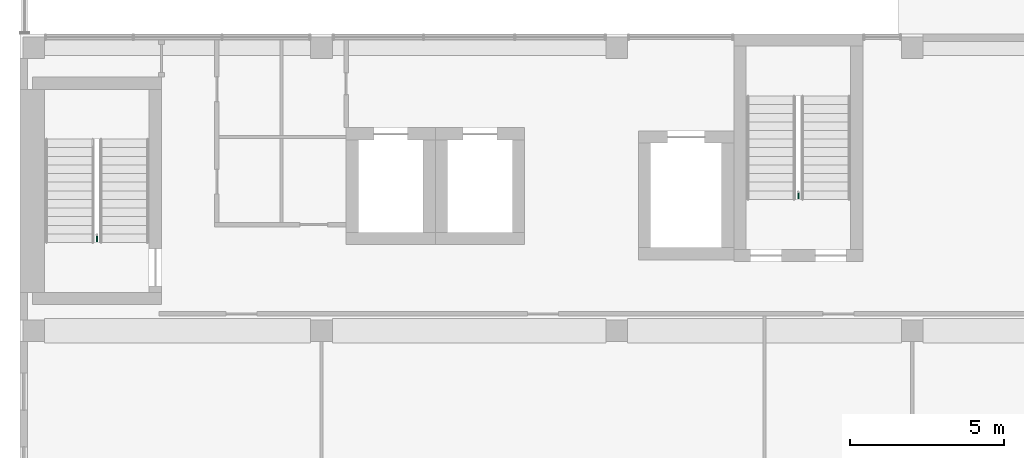
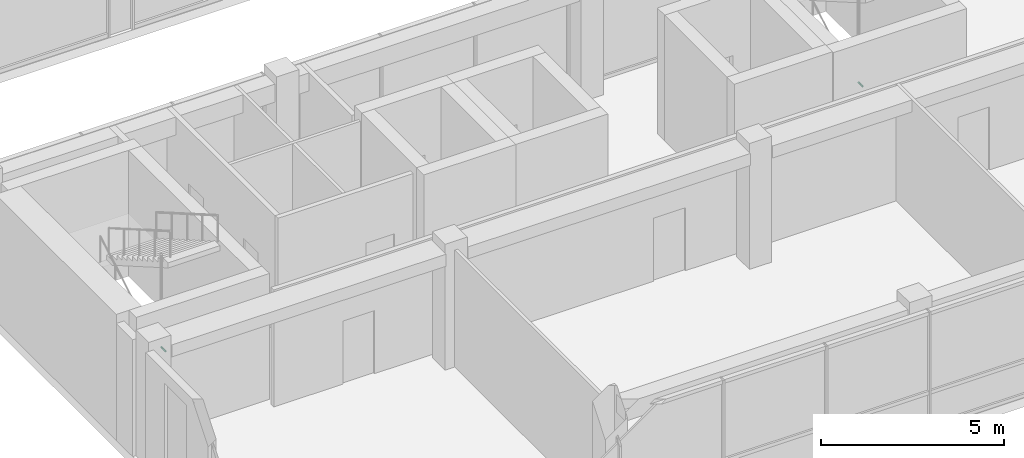
# One storey, part 26 of 27: 2 pipe fittings.
"""IFC4 building model written with IfcOpenShell, lengths in metres."""

from ifc_helpers import new_model, si_unit, direction, frame, origin, origin_2d, place, context, subcontext, project, spatial, circle, extrude, element, save


model = new_model("IFC4")

# Units and contexts
model_context = context("Model", 3, precision=1e-05, world=origin(), true_north=direction((0.0, 1.0)))
body_context = subcontext(model_context, "Body", "Model", "MODEL_VIEW")
ifc_project = project(units=[si_unit("LENGTHUNIT", "METRE"), si_unit("AREAUNIT", "SQUARE_METRE"), si_unit("VOLUMEUNIT", "CUBIC_METRE"), si_unit("PLANEANGLEUNIT", "RADIAN"), si_unit("MASSUNIT", "GRAM", prefix="KILO")], contexts=[model_context])

# Site, building, storey
site_placement = place(None, origin())
site = spatial("IfcSite", under=ifc_project, at=site_placement, CompositionType="ELEMENT")
building_placement = place(site_placement, origin())
building = spatial("IfcBuilding", under=site, at=building_placement, Name="Nzadi Deep Aquarium and Research Tower", CompositionType="ELEMENT")
storey_placement = place(building_placement, frame((0.0, 0.0, 69.699951171875)))
storey = spatial("IfcBuildingStorey", under=building, at=storey_placement, Name="L14", CompositionType="ELEMENT", Elevation=69.699951171875)

# Pipe fittings
for number, where, z_axis, x_axis, name in (
    (1, (2.300048828125, 12.320068359375, 1.10009765625), (0.0, -1.0, 0.0), (1.0, 0.0, 0.0), "Dry riser outlet ST-Z1-SW L14"),
    (2, (25.10009765625, 13.719970703125, 1.10009765625), (0.0, -1.0, 0.0), (1.0, 0.0, 0.0), "Dry riser outlet ST-Z1-SE L14"),
):
    element("IfcPipeFitting", number, at=place(storey_placement, frame(where, z_axis=z_axis, x_axis=x_axis)), inside=storey, Name=name, PredefinedType="EXIT", context=body_context, shape_type="SweptSolid", body=[
        extrude(circle(Radius=0.0224609375, at=origin_2d()), origin(), (0.0, 0.0, 1.0), 0.22998046875),
    ])

save(model, "model.ifc")
